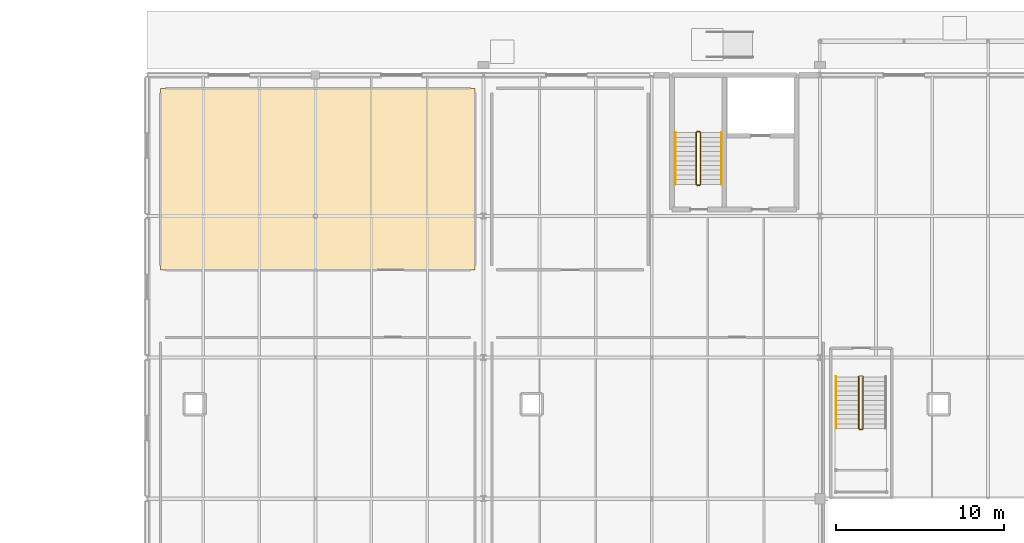
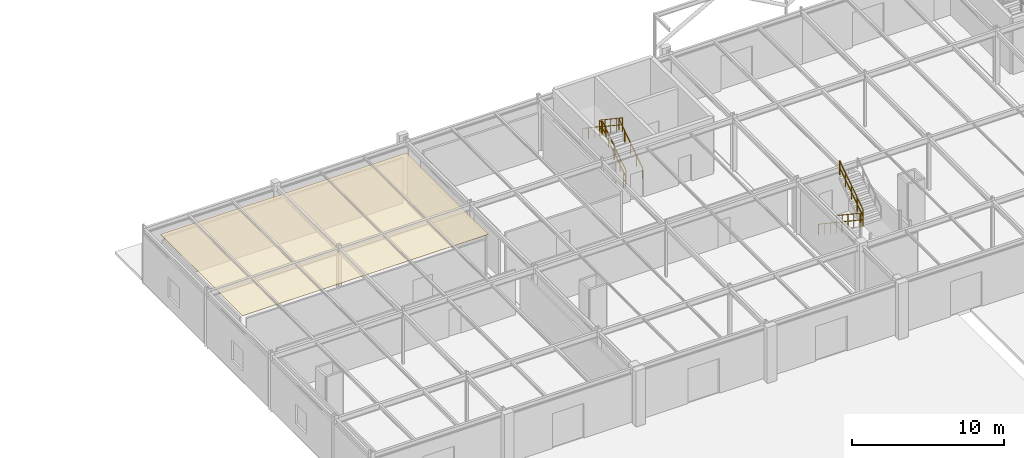
# One storey, part 110 of 119: 10 railings, 1 covering.
"""IFC4 building model written with IfcOpenShell, lengths in metres."""

from ifc_helpers import new_model, si_unit, derived_unit, direction, frame, origin, origin_2d_with_axis, place, context, subcontext, project, spatial, polyline, circle, outline, extrude, material, layer, layer_set, type_object, element, save


model = new_model("IFC4")

# Units and contexts
model_context = context("Model", 3, precision=1e-05, world=origin(), true_north=direction((0.0, 1.0)))
body_context = subcontext(model_context, "Body", "Model", "MODEL_VIEW")
ifc_project = project(units=[si_unit("LENGTHUNIT", "METRE"), si_unit("AREAUNIT", "SQUARE_METRE"), si_unit("VOLUMEUNIT", "CUBIC_METRE"), si_unit("PLANEANGLEUNIT", "RADIAN"), si_unit("MASSUNIT", "GRAM", prefix="KILO"), derived_unit("THERMALTRANSMITTANCEUNIT", [(si_unit("POWERUNIT", "WATT"), 1), (si_unit("LENGTHUNIT", "METRE"), -2), (si_unit("THERMODYNAMICTEMPERATUREUNIT", "KELVIN"), -1)])], contexts=[model_context])

# Site, building, storey
site_placement = place(None, origin())
site = spatial("IfcSite", under=ifc_project, at=site_placement, CompositionType="ELEMENT")
building_placement = place(site_placement, origin())
building = spatial("IfcBuilding", under=site, at=building_placement, Name="Cinnabar Yard Market Hall", CompositionType="ELEMENT")
storey_placement = place(building_placement, origin())
storey = spatial("IfcBuildingStorey", under=building, at=storey_placement, Name="L00", CompositionType="ELEMENT", Elevation=0.0)

# Covering
ifc_material_1 = material(Name="Perforated acoustic spotted-gum timber slats", Category="wood")
ifc_layer_1 = layer(ifc_material_1, 0.0400390625)
ifc_layer_set_1 = layer_set([ifc_layer_1], Name="Perforated acoustic spotted-gum timber slats")
covering_type = type_object("IfcCoveringType", Name="COV-CLG1", PredefinedType="CEILING", material=ifc_layer_set_1)
covering_placement = place(storey_placement, frame((0.0, 0.0, 3.8798828125)))
element("IfcCovering", 1, at=covering_placement, inside=storey, type_object=covering_type, Name="Ceiling Producers Community Room 01", PredefinedType="CEILING", context=body_context, shape_type="SweptSolid", body=[
    extrude(outline(polyline([(66.800048828125, 126.39990234375), (85.5, 126.39990234375), (85.5, 137.199951171875), (66.800048828125, 137.199951171875), (66.800048828125, 126.39990234375)])), origin(), (0.0, 0.0, 1.0), 0.03515625),
])

# Railings
ifc_material_2 = material(Name="Laminated glass and bronze handrail", Category="glass")
ifc_layer_2 = layer(ifc_material_2, 0.070068359375)
ifc_layer_set_2 = layer_set([ifc_layer_2], Name="Laminated glass and bronze handrail")
railing_type_1 = type_object("IfcRailingType", Name="RL-G01", PredefinedType="BALUSTRADE", material=ifc_layer_set_2)
railing_1_placement = place(storey_placement, frame((108.300048828125, 120.050048828125, 0.1875)))
element("IfcRailing", 2, at=railing_1_placement, inside=storey, type_object=railing_type_1, Name="L00 ST-F4 stair guard 1", PredefinedType="BALUSTRADE", context=body_context, shape_type="SweptSolid", body=[
    extrude(circle(Radius=0.02392578125, at=origin_2d_with_axis()), frame((0.0, 0.0, 1.09619140625), z_axis=(0.0, -0.830913701846, 0.55640131208), x_axis=(1.0, 0.0, 0.0)), (0.0, 0.0, 1.0), 3.706787109375),
    extrude(circle(Radius=0.02392578125, at=origin_2d_with_axis()), frame((0.0, 0.0, 0.550048828125), z_axis=(0.0, -0.830913701846, 0.55640131208), x_axis=(1.0, 0.0, 0.0)), (0.0, 0.0, 1.0), 3.706787109375),
    extrude(circle(Radius=0.02099609375, at=origin_2d_with_axis()), origin(), (0.0, 0.0, 1.0), 1.072021484375),
    extrude(circle(Radius=0.02099609375, at=origin_2d_with_axis()), frame((0.0, -0.77001953125, 0.515625)), (0.0, 0.0, 1.0), 1.072021484375),
    extrude(circle(Radius=0.02099609375, at=origin_2d_with_axis()), frame((0.0, -1.5400390625, 1.03125)), (0.0, 0.0, 1.0), 1.072021484375),
    extrude(circle(Radius=0.02099609375, at=origin_2d_with_axis()), frame((0.0, -2.31005859375, 1.546875)), (0.0, 0.0, 1.0), 1.072021484375),
    extrude(circle(Radius=0.02099609375, at=origin_2d_with_axis()), frame((0.0, -3.080078125, 2.0625)), (0.0, 0.0, 1.0), 1.072021484375),
])
railing_2_placement = place(storey_placement, frame((108.35009765625, 116.919921875, 2.25)))
element("IfcRailing", 3, at=railing_2_placement, inside=storey, type_object=railing_type_1, Name="L00 ST-F4 stair guard 2", PredefinedType="BALUSTRADE", context=body_context, shape_type="SweptSolid", body=[
    extrude(circle(Radius=0.02392578125, at=origin_2d_with_axis()), frame((0.0, 0.0, 1.09619140625), z_axis=(1.0, 0.0, 0.0), x_axis=(0.0, 1.0, 0.0)), (0.0, 0.0, 1.0), 0.159912109375),
    extrude(circle(Radius=0.02392578125, at=origin_2d_with_axis()), frame((0.0, 0.0, 0.550048828125), z_axis=(1.0, 0.0, 0.0), x_axis=(0.0, 1.0, 0.0)), (0.0, 0.0, 1.0), 0.159912109375),
    extrude(circle(Radius=0.02099609375, at=origin_2d_with_axis()), origin(), (0.0, 0.0, 1.0), 1.072021484375),
    extrude(circle(Radius=0.02099609375, at=origin_2d_with_axis()), frame((0.159912109375, 0.0, 0.0)), (0.0, 0.0, 1.0), 1.072021484375),
])
railing_3_placement = place(storey_placement, frame((108.56005859375, 116.969970703125, 2.4375)))
element("IfcRailing", 4, at=railing_3_placement, inside=storey, type_object=railing_type_1, Name="L00 ST-F4 stair guard 3", PredefinedType="BALUSTRADE", context=body_context, shape_type="SweptSolid", body=[
    extrude(circle(Radius=0.02392578125, at=origin_2d_with_axis()), frame((0.0, 0.0, 1.09619140625), z_axis=(0.0, 0.830913701846, 0.55640131208), x_axis=(-1.0, 0.0, 0.0)), (0.0, 0.0, 1.0), 3.706787109375),
    extrude(circle(Radius=0.02392578125, at=origin_2d_with_axis()), frame((0.0, 0.0, 0.550048828125), z_axis=(0.0, 0.830913701846, 0.55640131208), x_axis=(-1.0, 0.0, 0.0)), (0.0, 0.0, 1.0), 3.706787109375),
    extrude(circle(Radius=0.02099609375, at=origin_2d_with_axis()), origin(), (0.0, 0.0, 1.0), 1.072021484375),
    extrude(circle(Radius=0.02099609375, at=origin_2d_with_axis()), frame((0.0, 0.77001953125, 0.515625)), (0.0, 0.0, 1.0), 1.072021484375),
    extrude(circle(Radius=0.02099609375, at=origin_2d_with_axis()), frame((0.0, 1.5400390625, 1.03125)), (0.0, 0.0, 1.0), 1.072021484375),
    extrude(circle(Radius=0.02099609375, at=origin_2d_with_axis()), frame((0.0, 2.31005859375, 1.546875)), (0.0, 0.0, 1.0), 1.072021484375),
    extrude(circle(Radius=0.02099609375, at=origin_2d_with_axis()), frame((0.0, 3.080078125, 2.0625)), (0.0, 0.0, 1.0), 1.072021484375),
])
ifc_material_3 = material(Name="Galvanised steel Grade 300 (300 MPa) guardrail", Category="steel")
ifc_layer_3 = layer(ifc_material_3, 0.06005859375)
ifc_layer_set_3 = layer_set([ifc_layer_3], Name="Galvanised steel Grade 300 (300 MPa) guardrail")
railing_type_2 = type_object("IfcRailingType", Name="RL-G03", PredefinedType="GUARDRAIL", material=ifc_layer_set_3)
railing_4_placement = place(storey_placement, frame((98.89990234375, 131.489990234375, 0.1875)))
element("IfcRailing", 5, at=railing_4_placement, inside=storey, type_object=railing_type_2, Name="L00 ST-C5 stair guard 1", PredefinedType="GUARDRAIL", context=body_context, shape_type="SweptSolid", body=[
    extrude(circle(Radius=0.02392578125, at=origin_2d_with_axis()), frame((0.0, 0.0, 1.09619140625), z_axis=(0.0, 0.830913701846, 0.55640131208), x_axis=(-1.0, 0.0, 0.0)), (0.0, 0.0, 1.0), 3.706787109375),
    extrude(circle(Radius=0.02392578125, at=origin_2d_with_axis()), frame((0.0, 0.0, 0.550048828125), z_axis=(0.0, 0.830913701846, 0.55640131208), x_axis=(-1.0, 0.0, 0.0)), (0.0, 0.0, 1.0), 3.706787109375),
    extrude(circle(Radius=0.02099609375, at=origin_2d_with_axis()), origin(), (0.0, 0.0, 1.0), 1.072021484375),
    extrude(circle(Radius=0.02099609375, at=origin_2d_with_axis()), frame((0.0, 0.77001953125, 0.515625)), (0.0, 0.0, 1.0), 1.072021484375),
    extrude(circle(Radius=0.02099609375, at=origin_2d_with_axis()), frame((0.0, 1.5400390625, 1.03125)), (0.0, 0.0, 1.0), 1.072021484375),
    extrude(circle(Radius=0.02099609375, at=origin_2d_with_axis()), frame((0.0, 2.31005859375, 1.546875)), (0.0, 0.0, 1.0), 1.072021484375),
    extrude(circle(Radius=0.02099609375, at=origin_2d_with_axis()), frame((0.0, 3.080078125, 2.0625)), (0.0, 0.0, 1.0), 1.072021484375),
])
railing_5_placement = place(storey_placement, frame((98.85009765625, 134.6201171875, 2.25)))
element("IfcRailing", 6, at=railing_5_placement, inside=storey, type_object=railing_type_2, Name="L00 ST-C5 stair guard 2", PredefinedType="GUARDRAIL", context=body_context, shape_type="SweptSolid", body=[
    extrude(circle(Radius=0.02392578125, at=origin_2d_with_axis()), frame((0.0, 0.0, 1.09619140625), z_axis=(-1.0, 0.0, 0.0), x_axis=(0.0, -1.0, 0.0)), (0.0, 0.0, 1.0), 0.16015625),
    extrude(circle(Radius=0.02392578125, at=origin_2d_with_axis()), frame((0.0, 0.0, 0.550048828125), z_axis=(-1.0, 0.0, 0.0), x_axis=(0.0, -1.0, 0.0)), (0.0, 0.0, 1.0), 0.16015625),
    extrude(circle(Radius=0.02099609375, at=origin_2d_with_axis()), origin(), (0.0, 0.0, 1.0), 1.072021484375),
    extrude(circle(Radius=0.02099609375, at=origin_2d_with_axis()), frame((-0.16015625, 0.0, 0.0)), (0.0, 0.0, 1.0), 1.072021484375),
])
railing_6_placement = place(storey_placement, frame((98.639892578125, 134.570068359375, 2.4375)))
element("IfcRailing", 7, at=railing_6_placement, inside=storey, type_object=railing_type_2, Name="L00 ST-C5 stair guard 3", PredefinedType="GUARDRAIL", context=body_context, shape_type="SweptSolid", body=[
    extrude(circle(Radius=0.02392578125, at=origin_2d_with_axis()), frame((0.0, 0.0, 1.09619140625), z_axis=(0.0, -0.830913701846, 0.55640131208), x_axis=(1.0, 0.0, 0.0)), (0.0, 0.0, 1.0), 3.706787109375),
    extrude(circle(Radius=0.02392578125, at=origin_2d_with_axis()), frame((0.0, 0.0, 0.550048828125), z_axis=(0.0, -0.830913701846, 0.55640131208), x_axis=(1.0, 0.0, 0.0)), (0.0, 0.0, 1.0), 3.706787109375),
    extrude(circle(Radius=0.02099609375, at=origin_2d_with_axis()), origin(), (0.0, 0.0, 1.0), 1.072021484375),
    extrude(circle(Radius=0.02099609375, at=origin_2d_with_axis()), frame((0.0, -0.77001953125, 0.515625)), (0.0, 0.0, 1.0), 1.072021484375),
    extrude(circle(Radius=0.02099609375, at=origin_2d_with_axis()), frame((0.0, -1.5400390625, 1.03125)), (0.0, 0.0, 1.0), 1.072021484375),
    extrude(circle(Radius=0.02099609375, at=origin_2d_with_axis()), frame((0.0, -2.31005859375, 1.546875)), (0.0, 0.0, 1.0), 1.072021484375),
    extrude(circle(Radius=0.02099609375, at=origin_2d_with_axis()), frame((0.0, -3.080078125, 2.0625)), (0.0, 0.0, 1.0), 1.072021484375),
])
railing_7_placement = place(storey_placement, frame((98.85009765625, 131.43994140625, 0.0)))
element("IfcRailing", 8, at=railing_7_placement, inside=storey, type_object=railing_type_2, Name="L00 ST-C5 stair guard 4", PredefinedType="GUARDRAIL", context=body_context, shape_type="SweptSolid", body=[
    extrude(circle(Radius=0.02392578125, at=origin_2d_with_axis()), frame((0.0, 0.0, 1.09619140625), z_axis=(-1.0, 0.0, 0.0), x_axis=(0.0, -1.0, 0.0)), (0.0, 0.0, 1.0), 0.16015625),
    extrude(circle(Radius=0.02392578125, at=origin_2d_with_axis()), frame((0.0, 0.0, 0.550048828125), z_axis=(-1.0, 0.0, 0.0), x_axis=(0.0, -1.0, 0.0)), (0.0, 0.0, 1.0), 0.16015625),
    extrude(circle(Radius=0.02099609375, at=origin_2d_with_axis()), origin(), (0.0, 0.0, 1.0), 1.072021484375),
    extrude(circle(Radius=0.02099609375, at=origin_2d_with_axis()), frame((-0.16015625, 0.0, 0.0)), (0.0, 0.0, 1.0), 1.072021484375),
])
ifc_material_4 = material(Name="Brushed stainless steel handrail", Category="steel")
ifc_layer_4 = layer(ifc_material_4, 0.050048828125)
ifc_layer_set_4 = layer_set([ifc_layer_4], Name="Brushed stainless steel handrail")
railing_type_3 = type_object("IfcRailingType", Name="RL-HR1", PredefinedType="HANDRAIL", material=ifc_layer_set_4)
railing_8_placement = place(storey_placement, frame((100.14990234375, 131.489990234375, 0.1875)))
element("IfcRailing", 9, at=railing_8_placement, inside=storey, type_object=railing_type_3, Name="L00 ST-C5 stair handrail 1", PredefinedType="HANDRAIL", context=body_context, shape_type="SweptSolid", body=[
    extrude(circle(Radius=0.02392578125, at=origin_2d_with_axis()), frame((0.0, 0.0, 0.8759765625), z_axis=(0.0, 0.830913701846, 0.55640131208), x_axis=(-1.0, 0.0, 0.0)), (0.0, 0.0, 1.0), 3.706787109375),
    extrude(circle(Radius=0.02099609375, at=origin_2d_with_axis()), origin(), (0.0, 0.0, 1.0), 0.851806640625),
    extrude(circle(Radius=0.02099609375, at=origin_2d_with_axis()), frame((0.0, 0.77001953125, 0.515625)), (0.0, 0.0, 1.0), 0.851806640625),
    extrude(circle(Radius=0.02099609375, at=origin_2d_with_axis()), frame((0.0, 1.5400390625, 1.03125)), (0.0, 0.0, 1.0), 0.851806640625),
    extrude(circle(Radius=0.02099609375, at=origin_2d_with_axis()), frame((0.0, 2.31005859375, 1.546875)), (0.0, 0.0, 1.0), 0.851806640625),
    extrude(circle(Radius=0.02099609375, at=origin_2d_with_axis()), frame((0.0, 3.080078125, 2.0625)), (0.0, 0.0, 1.0), 0.851806640625),
])
for number, where, name in (
    (10, (97.389892578125, 134.570068359375, 2.4375), "L00 ST-C5 stair handrail 2"),
    (11, (106.949951171875, 120.050048828125, 0.1875), "L00 ST-F4 stair handrail 1"),
):
    element("IfcRailing", number, at=place(storey_placement, frame(where)), inside=storey, type_object=railing_type_3, Name=name, PredefinedType="HANDRAIL", context=body_context, shape_type="SweptSolid", body=[
        extrude(circle(Radius=0.02392578125, at=origin_2d_with_axis()), frame((0.0, 0.0, 0.8759765625), z_axis=(0.0, -0.830913701846, 0.55640131208), x_axis=(1.0, 0.0, 0.0)), (0.0, 0.0, 1.0), 3.706787109375),
        extrude(circle(Radius=0.02099609375, at=origin_2d_with_axis()), origin(), (0.0, 0.0, 1.0), 0.851806640625),
        extrude(circle(Radius=0.02099609375, at=origin_2d_with_axis()), frame((0.0, -0.77001953125, 0.515625)), (0.0, 0.0, 1.0), 0.851806640625),
        extrude(circle(Radius=0.02099609375, at=origin_2d_with_axis()), frame((0.0, -1.5400390625, 1.03125)), (0.0, 0.0, 1.0), 0.851806640625),
        extrude(circle(Radius=0.02099609375, at=origin_2d_with_axis()), frame((0.0, -2.31005859375, 1.546875)), (0.0, 0.0, 1.0), 0.851806640625),
        extrude(circle(Radius=0.02099609375, at=origin_2d_with_axis()), frame((0.0, -3.080078125, 2.0625)), (0.0, 0.0, 1.0), 0.851806640625),
    ])

save(model, "model.ifc")
